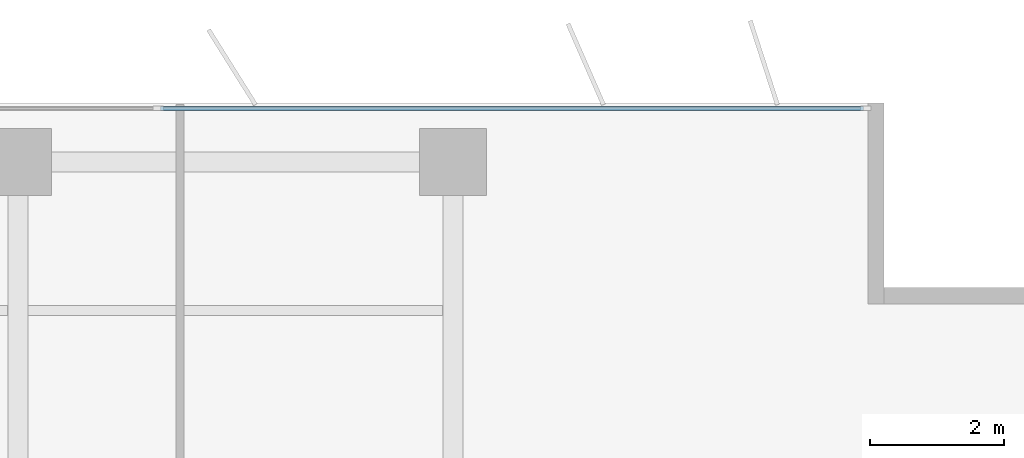
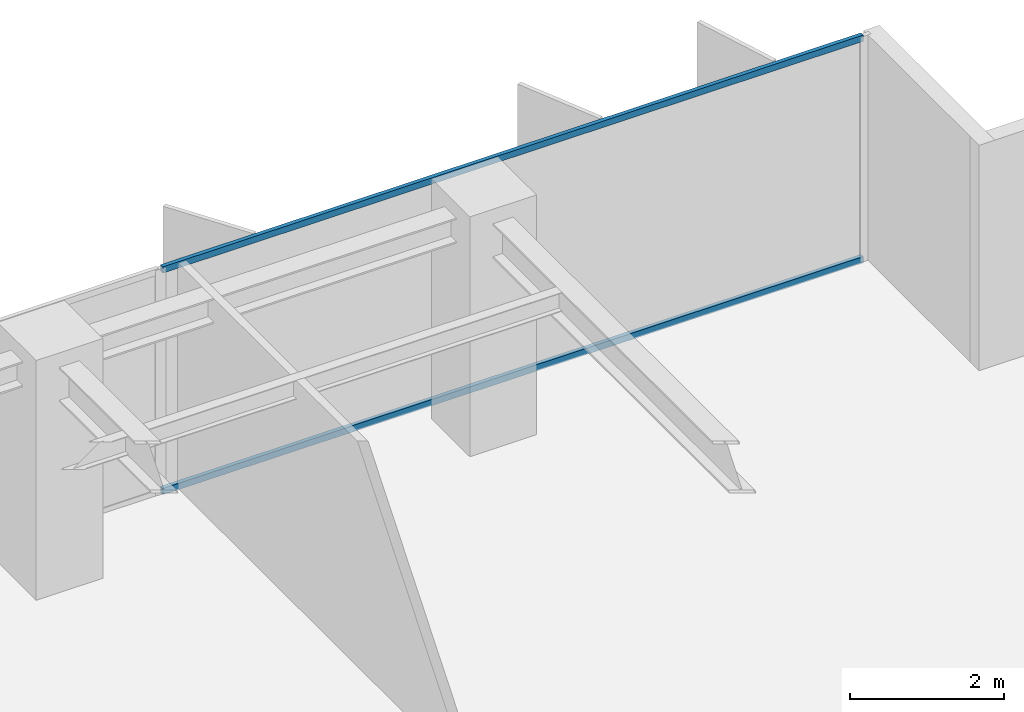
# One storey, part 11 of 22: 2 members, 1 element without a shape of its own.
"""IFC4 building model written with IfcOpenShell, lengths in metres."""

from ifc_helpers import new_model, si_unit, direction, frame, origin, origin_2d, place, context, subcontext, project, spatial, rectangle, extrude, material, layer, layer_set, material_profile, profile_set, type_object, element, aggregate, save


model = new_model("IFC4")

# Units and contexts
model_context = context("Model", 3, precision=1e-05, world=origin(), true_north=direction((0.0, 1.0)))
body_context = subcontext(model_context, "Body", "Model", "MODEL_VIEW")
ifc_project = project(units=[si_unit("LENGTHUNIT", "METRE"), si_unit("AREAUNIT", "SQUARE_METRE"), si_unit("VOLUMEUNIT", "CUBIC_METRE"), si_unit("PLANEANGLEUNIT", "RADIAN"), si_unit("MASSUNIT", "GRAM", prefix="KILO")], contexts=[model_context])

# Site, building, storey
site_placement = place(None, origin())
site = spatial("IfcSite", under=ifc_project, at=site_placement, CompositionType="ELEMENT")
building_placement = place(site_placement, origin())
building = spatial("IfcBuilding", under=site, at=building_placement, Name="Putna Gate Headquarters", CompositionType="ELEMENT")
storey_placement = place(building_placement, frame((0.0, 0.0, 148.0)))
storey = spatial("IfcBuildingStorey", under=building, at=storey_placement, Name="L36", CompositionType="ELEMENT", Elevation=148.0)

# Curtain wall, members
ifc_material_1 = material(Name="Anodised bronze aluminium curtain wall", Category="aluminium")
ifc_layer = layer(ifc_material_1, 0.159912109375)
ifc_layer_set = layer_set([ifc_layer], Name="Anodised bronze aluminium curtain wall")
curtain_wall_type = type_object("IfcCurtainWallType", Name="CW-SYS-Z3", PredefinedType="USERDEFINED", material=ifc_layer_set)
curtain_wall_placement = place(storey_placement, origin())
curtain_wall = element("IfcCurtainWall", 1, at=curtain_wall_placement, inside=storey, type_object=curtain_wall_type, Name="L36 North East Curtain Wall", ObjectType="STICK CURTAIN WALL", PredefinedType="USERDEFINED")
ifc_material_2 = material(Name="Anodised bronze aluminium EN AW-6060", Category="aluminium")
ifc_material_profile = material_profile(ifc_material_2, rectangle(XDim=0.06005859375, YDim=0.10009765625, at=origin_2d()), Name="Anodised bronze aluminium EN AW-6060")
ifc_profile_set = profile_set([ifc_material_profile], Name="Anodised bronze aluminium EN AW-6060")
member_type = type_object("IfcMemberType", Name="TRAN-CWT-3", PredefinedType="USERDEFINED", material=ifc_profile_set)
member_1_placement = place(storey_placement, frame((60.632568359375, 48.52001953125, 0.030029296875), z_axis=(1.0, 0.0, 0.0), x_axis=(0.0, 1.0, 0.0)))
member_1 = element("IfcMember", 2, at=member_1_placement, type_object=member_type, Name="CWS-3 transom 2.1", ObjectType="TRANSOM", PredefinedType="USERDEFINED", context=body_context, shape_type="SweptSolid", body=[
    extrude(rectangle(XDim=0.06005859375, YDim=0.10009765625, at=origin_2d()), origin(), (0.0, 0.0, 1.0), 10.50244140625),
])
member_2_placement = place(storey_placement, frame((60.632568359375, 48.52001953125, 3.5419921875), z_axis=(1.0, 0.0, 0.0), x_axis=(0.0, 1.0, 0.0)))
member_2 = element("IfcMember", 3, at=member_2_placement, type_object=member_type, Name="CWS-3 transom 2.2", ObjectType="TRANSOM", PredefinedType="USERDEFINED", context=body_context, shape_type="SweptSolid", body=[
    extrude(rectangle(XDim=0.06005859375, YDim=0.10009765625, at=origin_2d()), origin(), (0.0, 0.0, 1.0), 10.50244140625),
])
aggregate(curtain_wall, [member_1, member_2])

save(model, "model.ifc")
